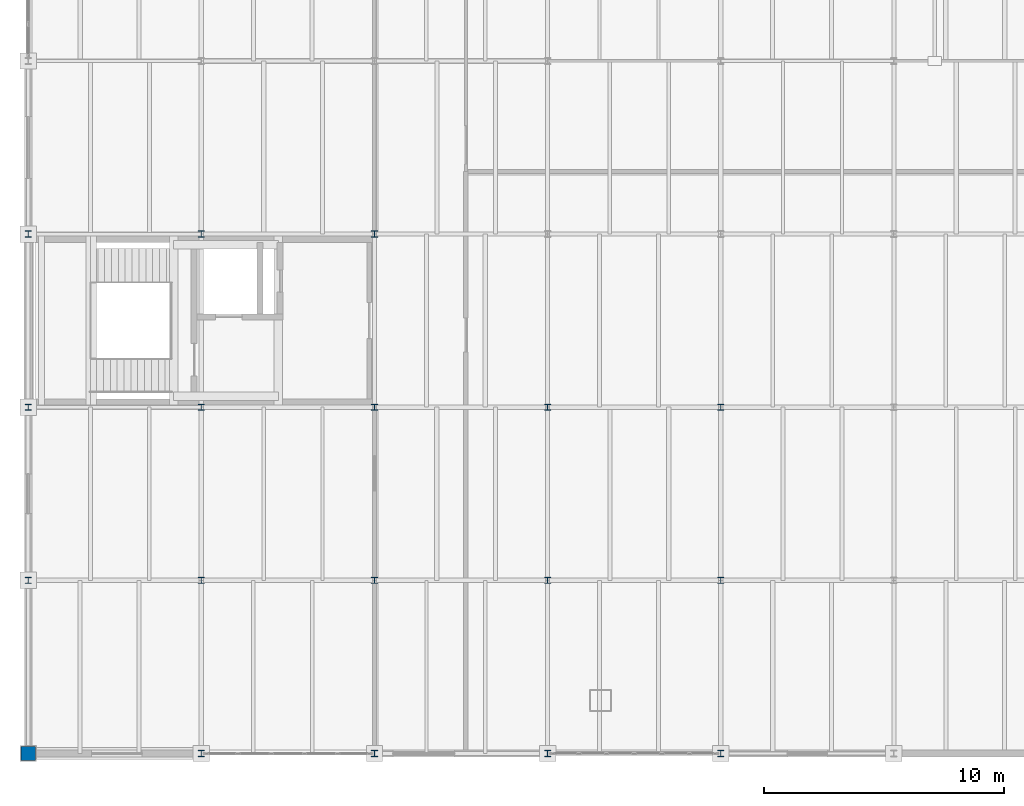
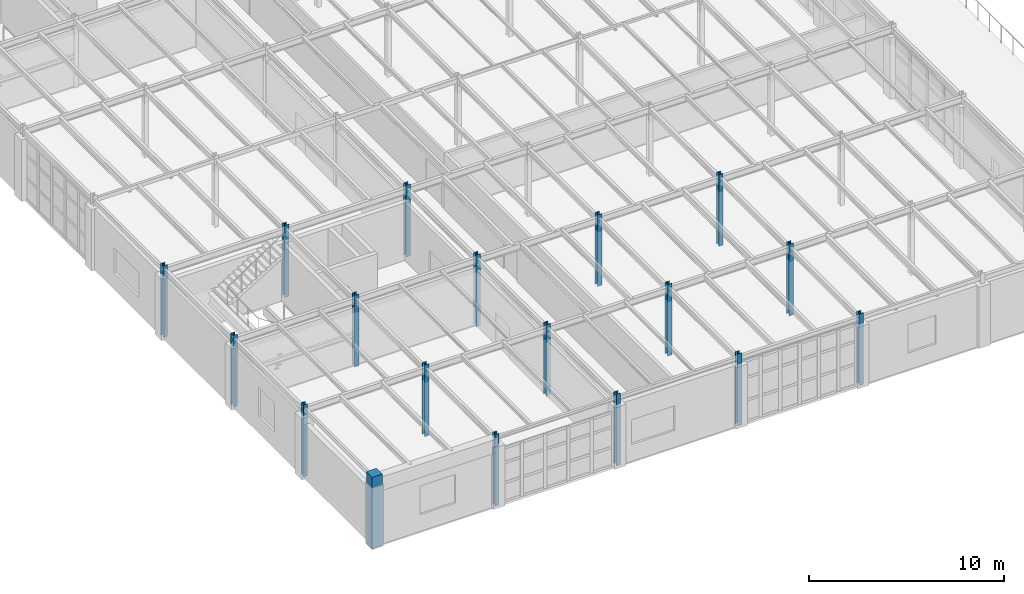
# One storey, part 1 of 36: 18 columns.
"""IFC4 building model written with IfcOpenShell, lengths in metres."""

from ifc_helpers import new_model, si_unit, direction, frame, origin, origin_with_axes, origin_2d, place, context, subcontext, project, spatial, rectangle, i_section, extrude, material, material_profile, profile_set, type_object, element, save


model = new_model("IFC4")

# Units and contexts
model_context = context("Model", 3, precision=1e-05, world=origin(), true_north=direction((0.0, 1.0)))
body_context = subcontext(model_context, "Body", "Model", "MODEL_VIEW")
ifc_project = project(units=[si_unit("LENGTHUNIT", "METRE"), si_unit("AREAUNIT", "SQUARE_METRE"), si_unit("VOLUMEUNIT", "CUBIC_METRE"), si_unit("PLANEANGLEUNIT", "RADIAN"), si_unit("MASSUNIT", "GRAM", prefix="KILO")], contexts=[model_context])

# Site, building, storey
site_placement = place(None, origin())
site = spatial("IfcSite", under=ifc_project, at=site_placement, CompositionType="ELEMENT")
building_placement = place(site_placement, origin())
building = spatial("IfcBuilding", under=site, at=building_placement, Name="Kemerveld Promenade Tramway Depot", CompositionType="ELEMENT")
storey_placement = place(building_placement, frame((0.0, 0.0, 14.39990234375)))
storey = spatial("IfcBuildingStorey", under=building, at=storey_placement, Name="L03", CompositionType="ELEMENT", Elevation=14.39990234375)

# Columns
ifc_material_1 = material(Name="Concrete C40/50", Category="concrete")
ifc_material_profile_1 = material_profile(ifc_material_1, rectangle(XDim=0.60009765625, YDim=0.60009765625, at=origin_2d()), Name="RC-COL-600x600")
ifc_profile_set_1 = profile_set([ifc_material_profile_1], Name="Concrete C40/50")
column_type_1 = type_object("IfcColumnType", Name="COL-RC1", PredefinedType="COLUMN", material=ifc_profile_set_1)
column_placement = place(storey_placement, origin_with_axes())
element("IfcColumn", 1, at=column_placement, inside=storey, type_object=column_type_1, Name="COL-L03-01-A", PredefinedType="COLUMN", context=body_context, shape_type="SweptSolid", body=[
    extrude(rectangle(XDim=0.60009765625, YDim=0.60009765625, at=origin_2d()), origin(), (0.0, 0.0, 1.0), 4.5),
])
ifc_material_2 = material(Name="Steel S355", Category="steel")
ifc_material_profile_2 = material_profile(ifc_material_2, i_section(OverallWidth=0.25634765625, OverallDepth=0.26025390625, WebThickness=0.01025390625, FlangeThickness=0.017333984375, FilletRadius=0.0126953125, at=origin_2d()), Name="254x254x89 UC")
ifc_profile_set_2 = profile_set([ifc_material_profile_2], Name="Steel S355")
column_type_2 = type_object("IfcColumnType", Name="COL-S08", PredefinedType="COLUMN", material=ifc_profile_set_2)
for number, where, z_axis, x_axis, name in (
    (2, (0.0, 7.199951171875, 0.0), (0.0, 0.0, 1.0), (1.0, 0.0, 0.0), "COL-L03-01-B"),
    (3, (0.0, 14.39990234375, 0.0), (0.0, 0.0, 1.0), (1.0, 0.0, 0.0), "COL-L03-01-C"),
    (4, (0.0, 21.60009765625, 0.0), (0.0, 0.0, 1.0), (1.0, 0.0, 0.0), "COL-L03-01-D"),
    (5, (7.199951171875, 0.0, 0.0), (0.0, 0.0, 1.0), (1.0, 0.0, 0.0), "COL-L03-02-A"),
    (6, (7.199951171875, 7.199951171875, 0.0), (0.0, 0.0, 1.0), (1.0, 0.0, 0.0), "COL-L03-02-B"),
    (7, (7.199951171875, 14.39990234375, 0.0), (0.0, 0.0, 1.0), (1.0, 0.0, 0.0), "COL-L03-02-C"),
    (8, (7.199951171875, 21.60009765625, 0.0), (0.0, 0.0, 1.0), (1.0, 0.0, 0.0), "COL-L03-02-D"),
    (9, (14.39990234375, 0.0, 0.0), (0.0, 0.0, 1.0), (1.0, 0.0, 0.0), "COL-L03-03-A"),
    (10, (14.39990234375, 7.199951171875, 0.0), (0.0, 0.0, 1.0), (1.0, 0.0, 0.0), "COL-L03-03-B"),
    (11, (14.39990234375, 14.39990234375, 0.0), (0.0, 0.0, 1.0), (1.0, 0.0, 0.0), "COL-L03-03-C"),
    (12, (14.39990234375, 21.60009765625, 0.0), (0.0, 0.0, 1.0), (1.0, 0.0, 0.0), "COL-L03-03-D"),
    (13, (21.60009765625, 0.0, 0.0), (0.0, 0.0, 1.0), (1.0, 0.0, 0.0), "COL-L03-04-A"),
    (14, (21.60009765625, 7.199951171875, 0.0), (0.0, 0.0, 1.0), (1.0, 0.0, 0.0), "COL-L03-04-B"),
    (15, (21.60009765625, 14.39990234375, 0.0), (0.0, 0.0, 1.0), (1.0, 0.0, 0.0), "COL-L03-04-C"),
    (16, (28.800048828125, 0.0, 0.0), (0.0, 0.0, 1.0), (1.0, 0.0, 0.0), "COL-L03-05-A"),
    (17, (28.800048828125, 7.199951171875, 0.0), (0.0, 0.0, 1.0), (1.0, 0.0, 0.0), "COL-L03-05-B"),
    (18, (28.800048828125, 14.39990234375, 0.0), (0.0, 0.0, 1.0), (1.0, 0.0, 0.0), "COL-L03-05-C"),
):
    element("IfcColumn", number, at=place(storey_placement, frame(where, z_axis=z_axis, x_axis=x_axis)), inside=storey, type_object=column_type_2, Name=name, PredefinedType="COLUMN", context=body_context, shape_type="SweptSolid", body=[
        extrude(i_section(OverallWidth=0.25634765625, OverallDepth=0.26025390625, WebThickness=0.01025390625, FlangeThickness=0.017333984375, FilletRadius=0.0126953125, at=origin_2d()), origin(), (0.0, 0.0, 1.0), 4.5),
    ])

save(model, "model.ifc")
